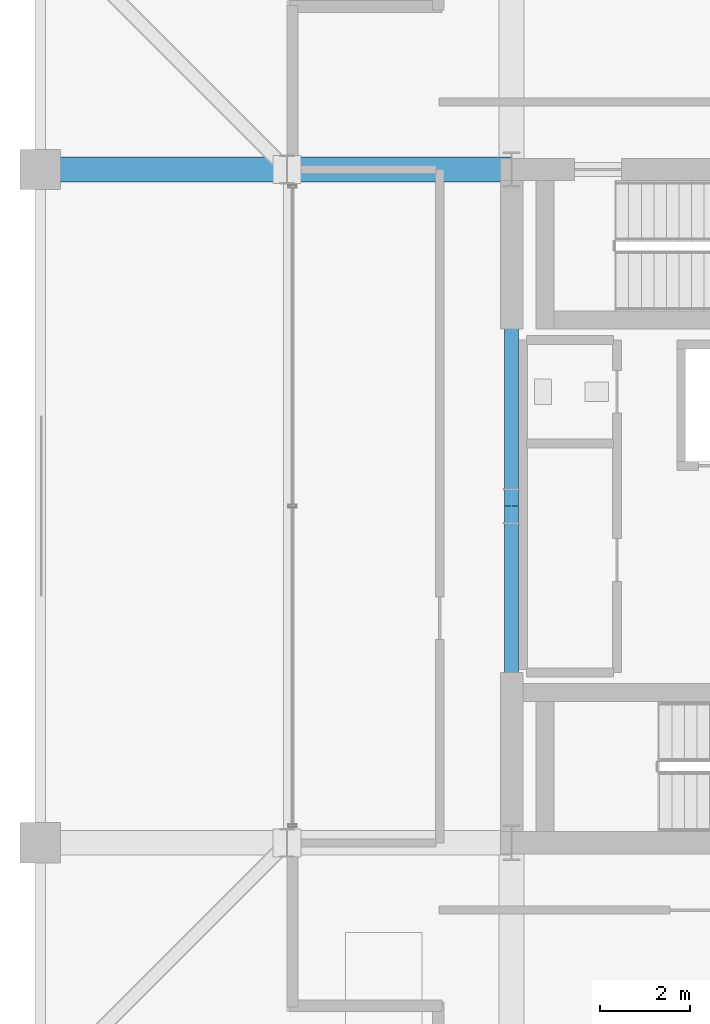
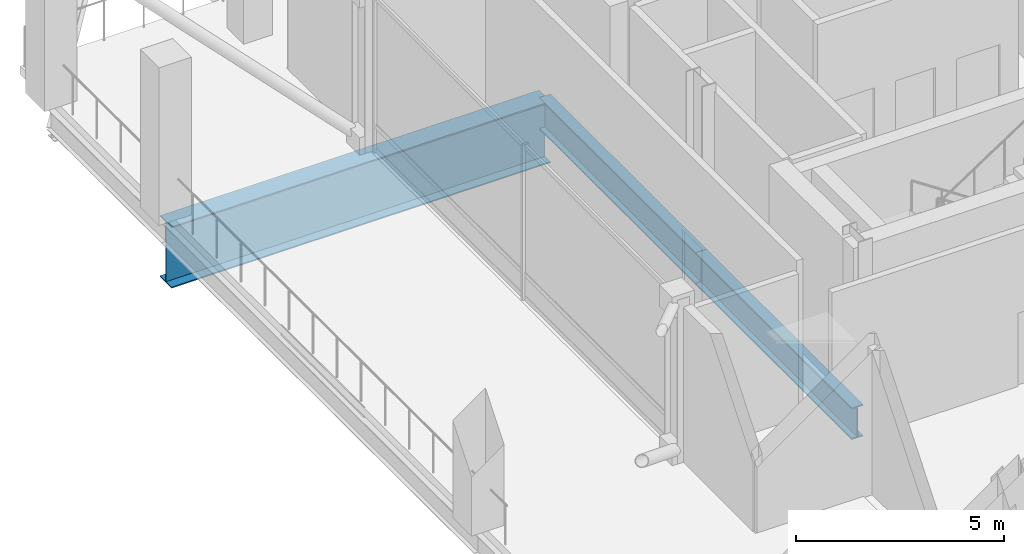
# One storey, part 6 of 17: 3 beams.
"""IFC4 building model written with IfcOpenShell, lengths in metres."""

from ifc_helpers import new_model, si_unit, direction, frame, origin, origin_2d, place, context, subcontext, project, spatial, i_section, extrude, material, material_profile, profile_set, type_object, element, save


model = new_model("IFC4")

# Units and contexts
model_context = context("Model", 3, precision=1e-05, world=origin(), true_north=direction((0.0, 1.0)))
body_context = subcontext(model_context, "Body", "Model", "MODEL_VIEW")
ifc_project = project(units=[si_unit("LENGTHUNIT", "METRE"), si_unit("AREAUNIT", "SQUARE_METRE"), si_unit("VOLUMEUNIT", "CUBIC_METRE"), si_unit("PLANEANGLEUNIT", "RADIAN"), si_unit("MASSUNIT", "GRAM", prefix="KILO")], contexts=[model_context])

# Site, building, storey
site_placement = place(None, origin())
site = spatial("IfcSite", under=ifc_project, at=site_placement, CompositionType="ELEMENT")
building_placement = place(site_placement, origin())
building = spatial("IfcBuilding", under=site, at=building_placement, Name="Barlavira Tower and Art Museum", CompositionType="ELEMENT")
storey_placement = place(building_placement, frame((0.0, 0.0, 305.10009765625)))
storey = spatial("IfcBuildingStorey", under=building, at=storey_placement, Name="L80", CompositionType="ELEMENT", Elevation=305.10009765625)

# Beams
ifc_material = material(Name="Steel S355", Category="steel")
ifc_material_profile_1 = material_profile(ifc_material, i_section(OverallWidth=0.30908203125, OverallDepth=0.931884765625, WebThickness=0.01953125, FlangeThickness=0.034423828125, at=origin_2d()), Name="W920x313.0")
ifc_profile_set_1 = profile_set([ifc_material_profile_1], Name="Steel S355")
beam_type_1 = type_object("IfcBeamType", Name="Setback Ring Girder W920x313 Steel S355", PredefinedType="BEAM", material=ifc_profile_set_1)
for number, where, z_axis, x_axis, name in (
    (1, (-6.5, -7.5, -0.76611328125), (0.0, 1.0, 0.0), (-1.0, 0.0, 0.0), "L80 Girder C-W1"),
    (2, (-6.5, 0.0, -0.76611328125), (0.0, 1.0, 0.0), (-1.0, 0.0, 0.0), "L80 Girder C-W2"),
):
    element("IfcBeam", number, at=place(storey_placement, frame(where, z_axis=z_axis, x_axis=x_axis)), inside=storey, type_object=beam_type_1, Name=name, PredefinedType="BEAM", context=body_context, shape_type="SweptSolid", body=[
        extrude(i_section(OverallWidth=0.30908203125, OverallDepth=0.931884765625, WebThickness=0.01953125, FlangeThickness=0.034423828125, at=origin_2d()), origin(), (0.0, 0.0, 1.0), 7.5),
    ])
ifc_material_profile_2 = material_profile(ifc_material, i_section(OverallWidth=0.550048828125, OverallDepth=1.800048828125, WebThickness=0.02587890625, FlangeThickness=0.033935546875, at=origin_2d()), Name="CVS1800x520")
ifc_profile_set_2 = profile_set([ifc_material_profile_2], Name="Steel S355")
beam_type_2 = type_object("IfcBeamType", Name="Zone Setback Transfer Girder CVS1800x520 Steel S355", PredefinedType="USERDEFINED", material=ifc_profile_set_2)
beam_placement = place(storey_placement, frame((-17.0, 7.5, -1.2001953125), z_axis=(1.0, 0.0, 0.0), x_axis=(0.0, 1.0, 0.0)))
element("IfcBeam", 3, at=beam_placement, inside=storey, type_object=beam_type_2, Name="L80 Crown Transfer Girder TG80-11", ObjectType="TRANSFER GIRDER", PredefinedType="USERDEFINED", context=body_context, shape_type="SweptSolid", body=[
    extrude(i_section(OverallWidth=0.550048828125, OverallDepth=1.800048828125, WebThickness=0.02587890625, FlangeThickness=0.033935546875, at=origin_2d()), origin(), (0.0, 0.0, 1.0), 10.5),
])

save(model, "model.ifc")
